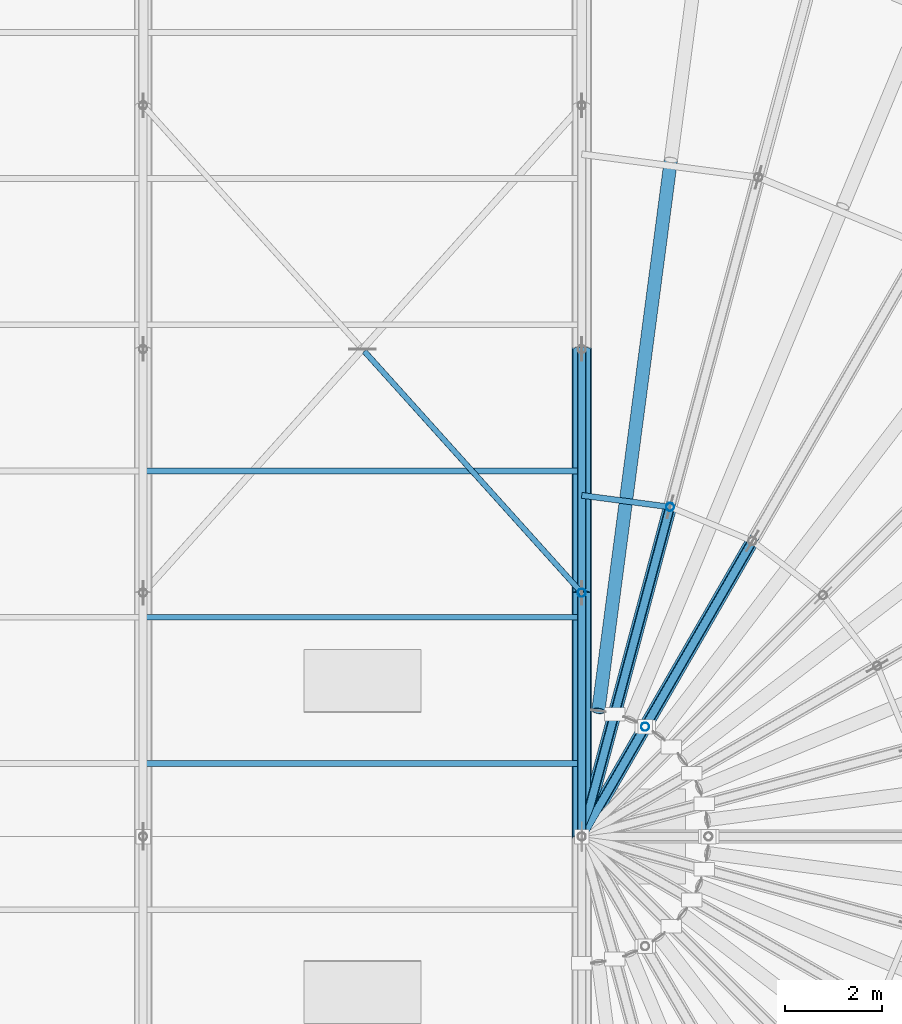
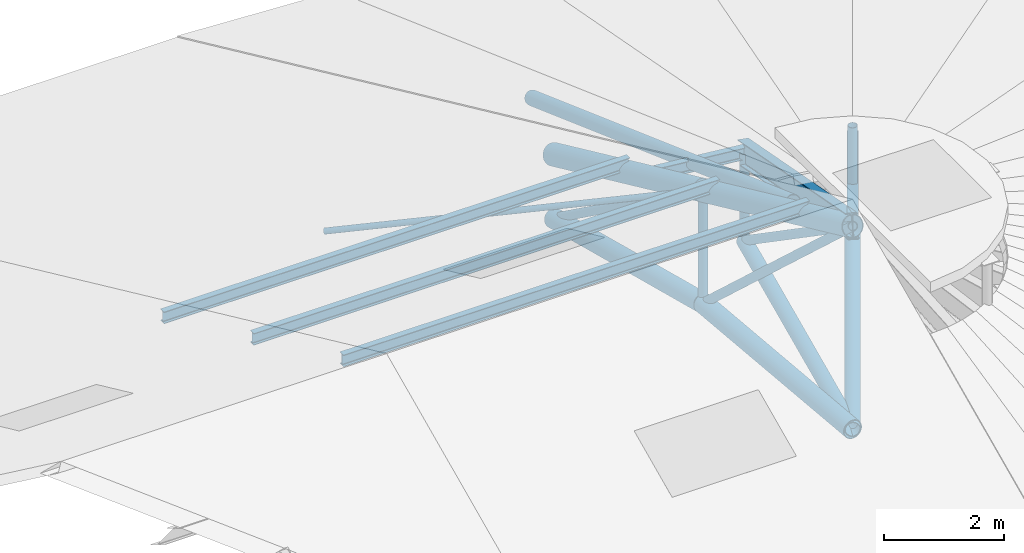
# One storey, part 39 of 107: 21 members.
"""IFC4 building model written with IfcOpenShell, lengths in metres."""

from ifc_helpers import new_model, si_unit, derived_unit, direction, frame, origin, origin_2d, place, context, subcontext, project, spatial, hollow_circle, i_section, extrude, material, material_profile, profile_set, type_object, element, save


model = new_model("IFC4")

# Units and contexts
model_context = context("Model", 3, precision=1e-05, world=origin(), true_north=direction((0.0, 1.0)))
body_context = subcontext(model_context, "Body", "Model", "MODEL_VIEW")
ifc_project = project(units=[si_unit("LENGTHUNIT", "METRE"), si_unit("AREAUNIT", "SQUARE_METRE"), si_unit("VOLUMEUNIT", "CUBIC_METRE"), si_unit("PLANEANGLEUNIT", "RADIAN"), si_unit("MASSUNIT", "GRAM", prefix="KILO"), si_unit("THERMODYNAMICTEMPERATUREUNIT", "KELVIN"), si_unit("TIMEUNIT", "SECOND"), derived_unit("THERMALTRANSMITTANCEUNIT", [(si_unit("MASSUNIT", "GRAM", prefix="KILO"), 1), (si_unit("THERMODYNAMICTEMPERATUREUNIT", "KELVIN"), -1), (si_unit("TIMEUNIT", "SECOND"), -3)])], contexts=[model_context])

# Site, building, storey
site_placement = place(None, origin())
site = spatial("IfcSite", under=ifc_project, at=site_placement, CompositionType="ELEMENT")
building_placement = place(site_placement, origin())
building = spatial("IfcBuilding", under=site, at=building_placement, Name="Cambertide Market Hall", CompositionType="ELEMENT")
storey_placement = place(building_placement, frame((0.0, 0.0, 18.300048828125)))
storey = spatial("IfcBuildingStorey", under=building, at=storey_placement, Name="RF", CompositionType="ELEMENT", Elevation=18.300048828125)

# Members
ifc_material_1 = material(Name="Steel S355", Category="steel")
ifc_material_profile_1 = material_profile(ifc_material_1, hollow_circle(Radius=0.136474609375, WallThickness=0.010009765625, at=origin_2d()), Name="CHS 273x10")
ifc_profile_set_1 = profile_set([ifc_material_profile_1], Name="Steel S355")
member_type_1 = type_object("IfcMemberType", Name="Arched Truss Chord CHS 273x10", PredefinedType="CHORD", material=ifc_profile_set_1)
for number, where, z_axis, x_axis, name in (
    (1, (105.0, 72.0, -4.5), (0.496076515077, 0.859240788635, -0.124953424661), (-0.866028190633, 0.499995173006, 0.0), "Half-Cone Radial Arch Chord E-20-1"),
    (2, (105.0, 72.0, -4.5), (0.256795291619, 0.958354076456, -0.124954561115), (-0.965924543531, 0.258823832372, 0.0), "Half-Cone Radial Arch Chord E-22-1"),
):
    element("IfcMember", number, at=place(storey_placement, frame(where, z_axis=z_axis, x_axis=x_axis)), inside=storey, type_object=member_type_1, Name=name, PredefinedType="CHORD", context=body_context, shape_type="SweptSolid", body=[
        extrude(hollow_circle(Radius=0.136474609375, WallThickness=0.010009765625, at=origin_2d()), origin(), (0.0, 0.0, 1.0), 7.055419921875),
    ])
ifc_material_2 = material(Name="Steel S355", Category="steel")
ifc_material_profile_2 = material_profile(ifc_material_2, hollow_circle(Radius=0.177734375, WallThickness=0.012451171875, at=origin_2d()), Name="CHS 355.6x12.5")
ifc_profile_set_2 = profile_set([ifc_material_profile_2], Name="Steel S355")
member_type_2 = type_object("IfcMemberType", Name="Arched Truss Chord CHS 355.6x12.5", PredefinedType="CHORD", material=ifc_profile_set_2)
member_1_placement = place(storey_placement, frame((105.0, 72.0, -4.5), z_axis=(0.0, 0.9958792443, -0.090689198761), x_axis=(-1.0, 0.0, 0.0)))
element("IfcMember", 3, at=member_1_placement, inside=storey, type_object=member_type_2, Name="Roof Truss 8 Arched Bottom Chord 5", PredefinedType="CHORD", context=body_context, shape_type="SweptSolid", body=[
    extrude(hollow_circle(Radius=0.177734375, WallThickness=0.012451171875, at=origin_2d()), origin(), (0.0, 0.0, 1.0), 5.020751953125),
])
member_2_placement = place(storey_placement, frame((105.0, 77.0, -4.955322265625), z_axis=(0.0, 0.968015607618, -0.250889982678), x_axis=(-1.0, 0.0, 0.0)))
element("IfcMember", 4, at=member_2_placement, inside=storey, type_object=member_type_2, Name="Roof Truss 8 Arched Bottom Chord 6", PredefinedType="CHORD", context=body_context, shape_type="SweptSolid", body=[
    extrude(hollow_circle(Radius=0.177734375, WallThickness=0.012451171875, at=origin_2d()), origin(), (0.0, 0.0, 1.0), 5.165283203125),
])
ifc_material_3 = material(Name="Steel S355", Category="steel")
ifc_material_profile_3 = material_profile(ifc_material_3, hollow_circle(Radius=0.203125, WallThickness=0.01416015625, at=origin_2d()), Name="CHS 406.4x14.2")
ifc_profile_set_3 = profile_set([ifc_material_profile_3], Name="Steel S355")
member_type_3 = type_object("IfcMemberType", Name="Arched Truss Chord CHS 406.4x14.2", PredefinedType="CHORD", material=ifc_profile_set_3)
for number, where, z_axis, x_axis, name in (
    (5, (105.0, 72.0, -0.35009765625), (0.0, 0.908487084298, -0.417912930721), (-1.0, 0.0, 0.0), "Roof Truss 8 Top Chord 5"),
    (6, (105.0, 77.0, -2.650146484375), (0.0, 0.908503925861, -0.417876317461), (-1.0, 0.0, 0.0), "Roof Truss 8 Top Chord 6"),
):
    element("IfcMember", number, at=place(storey_placement, frame(where, z_axis=z_axis, x_axis=x_axis)), inside=storey, type_object=member_type_3, Name=name, PredefinedType="CHORD", context=body_context, shape_type="SweptSolid", body=[
        extrude(hollow_circle(Radius=0.203125, WallThickness=0.01416015625, at=origin_2d()), origin(), (0.0, 0.0, 1.0), 5.503662109375),
    ])
ifc_material_4 = material(Name="Steel S355", Category="steel")
ifc_material_profile_4 = material_profile(ifc_material_4, hollow_circle(Radius=0.136474609375, WallThickness=0.010009765625, at=origin_2d()), Name="CHS 273x10")
ifc_profile_set_4 = profile_set([ifc_material_profile_4], Name="Steel S355")
member_type_4 = type_object("IfcMemberType", Name="Radial Fan Rafter CHS 273x10", PredefinedType="RAFTER", material=ifc_profile_set_4)
member_3_placement = place(storey_placement, frame((105.33935546875, 74.57763671875, -1.546142578125), z_axis=(0.11858507454, 0.900721251164, -0.417898083027), x_axis=(-0.991444452242, 0.130529299847, 0.0)))
element("IfcMember", 7, at=member_3_placement, inside=storey, type_object=member_type_4, Name="RAF-E-23-A", PredefinedType="RAFTER", context=body_context, shape_type="SweptSolid", body=[
    extrude(hollow_circle(Radius=0.136474609375, WallThickness=0.010009765625, at=origin_2d()), origin(), (0.0, 0.0, 1.0), 12.54833984375),
])
ifc_material_5 = material(Name="Steel S355", Category="steel")
ifc_material_profile_5 = material_profile(ifc_material_5, i_section(OverallWidth=0.18994140625, OverallDepth=0.449951171875, WebThickness=0.009521484375, FlangeThickness=0.0146484375, FilletRadius=0.02099609375, at=origin_2d()), Name="IPE 450")
ifc_profile_set_5 = profile_set([ifc_material_profile_5], Name="Steel S355")
member_type_5 = type_object("IfcMemberType", Name="Radial Fan Rafter IPE 450", PredefinedType="RAFTER", material=ifc_profile_set_5)
for number, where, z_axis, x_axis, name in (
    (8, (105.0, 72.0, -0.35009765625), (0.454242328693, 0.786780919627, -0.417899140146), (-0.866028190633, 0.499995173006, 0.0), "Half-Cone Radial Truss Rafter E-20-1"),
    (9, (105.0, 72.0, -0.35009765625), (0.235139371303, 0.877534683767, -0.417902326925), (-0.965924543531, 0.258823832372, 0.0), "Half-Cone Radial Truss Rafter E-22-1"),
):
    element("IfcMember", number, at=place(storey_placement, frame(where, z_axis=z_axis, x_axis=x_axis)), inside=storey, type_object=member_type_5, Name=name, PredefinedType="RAFTER", context=body_context, shape_type="SweptSolid", body=[
        extrude(i_section(OverallWidth=0.18994140625, OverallDepth=0.449951171875, WebThickness=0.009521484375, FlangeThickness=0.0146484375, FilletRadius=0.02099609375, at=origin_2d()), origin(), (0.0, 0.0, 1.0), 7.705078125),
    ])
ifc_material_6 = material(Name="Steel S275", Category="steel")
ifc_material_profile_6 = material_profile(ifc_material_6, i_section(OverallWidth=0.1201171875, OverallDepth=0.239990234375, WebThickness=0.006103515625, FlangeThickness=0.009765625, FilletRadius=0.014892578125, at=origin_2d()), Name="IPE 240")
ifc_profile_set_6 = profile_set([ifc_material_profile_6], Name="Steel S275")
member_type_6 = type_object("IfcMemberType", Name="Roof Purlin IPE 240", PredefinedType="PURLIN", material=ifc_profile_set_6)
for number, where, z_axis, x_axis, name in (
    (10, (96.0, 73.5, -0.830078125), (1.0, 0.0, 0.0), (0.0, 1.0, 0.0), "Barrel Roof Purlin 7-09"),
    (11, (96.0, 76.5, -2.2099609375), (1.0, 0.0, 0.0), (0.0, 1.0, 0.0), "Barrel Roof Purlin 7-10"),
    (12, (96.0, 79.5, -3.590087890625), (1.0, 0.0, 0.0), (0.0, 1.0, 0.0), "Barrel Roof Purlin 7-11"),
):
    element("IfcMember", number, at=place(storey_placement, frame(where, z_axis=z_axis, x_axis=x_axis)), inside=storey, type_object=member_type_6, Name=name, PredefinedType="PURLIN", context=body_context, shape_type="SweptSolid", body=[
        extrude(i_section(OverallWidth=0.1201171875, OverallDepth=0.239990234375, WebThickness=0.006103515625, FlangeThickness=0.009765625, FilletRadius=0.014892578125, at=origin_2d()), origin(), (0.0, 0.0, 1.0), 9.0),
    ])
member_4_placement = place(storey_placement, frame((106.811767578125, 78.761474609375, -3.570068359375), z_axis=(-0.991444743541, 0.130527087244, 0.0), x_axis=(-0.130527087244, -0.991444743541, 0.0)))
element("IfcMember", 13, at=member_4_placement, inside=storey, type_object=member_type_6, Name="CPUR-E-70-12", PredefinedType="PURLIN", context=body_context, shape_type="SweptSolid", body=[
    extrude(i_section(OverallWidth=0.1201171875, OverallDepth=0.239990234375, WebThickness=0.006103515625, FlangeThickness=0.009765625, FilletRadius=0.014892578125, at=origin_2d()), origin(), (0.0, 0.0, 1.0), 1.827392578125),
])
ifc_material_7 = material(Name="Steel S275", Category="steel")
ifc_material_profile_7 = material_profile(ifc_material_7, hollow_circle(Radius=0.05712890625, WallThickness=0.0048828125, at=origin_2d()), Name="CHS 114.3x5")
ifc_profile_set_7 = profile_set([ifc_material_profile_7], Name="Steel S275")
member_type_7 = type_object("IfcMemberType", Name="Structural Brace CHS 114.3x5", PredefinedType="BRACE", material=ifc_profile_set_7)
member_5_placement = place(storey_placement, frame((105.0, 77.0, -2.650146484375), z_axis=(-0.632999690254, 0.703313698634, -0.323513884481), x_axis=(-0.743285022771, -0.66897486868, 0.0)))
element("IfcMember", 14, at=member_5_placement, inside=storey, type_object=member_type_7, Name="Roof Wind X-Brace Split Segment 7-N2A", PredefinedType="BRACE", context=body_context, shape_type="SweptSolid", body=[
    extrude(hollow_circle(Radius=0.05712890625, WallThickness=0.0048828125, at=origin_2d()), origin(), (0.0, 0.0, 1.0), 7.031005859375),
])
ifc_material_8 = material(Name="Steel S355", Category="steel")
ifc_material_profile_8 = material_profile(ifc_material_8, hollow_circle(Radius=0.084228515625, WallThickness=0.00634765625, at=origin_2d()), Name="CHS 168.3x6.3")
ifc_profile_set_8 = profile_set([ifc_material_profile_8], Name="Steel S355")
member_type_8 = type_object("IfcMemberType", Name="Structural Brace CHS 168.3x6.3", PredefinedType="BRACE", material=ifc_profile_set_8)
member_6_placement = place(storey_placement, frame((105.0, 72.0, -0.35009765625), z_axis=(0.0, 0.73554793102, -0.677472686662), x_axis=(-1.0, 0.0, 0.0)))
element("IfcMember", 15, at=member_6_placement, inside=storey, type_object=member_type_8, Name="Roof Truss 8 Web Diagonal 5", PredefinedType="BRACE", context=body_context, shape_type="SweptSolid", body=[
    extrude(hollow_circle(Radius=0.084228515625, WallThickness=0.00634765625, at=origin_2d()), origin(), (0.0, 0.0, 1.0), 6.797607421875),
])
member_7_placement = place(storey_placement, frame((105.0, 77.0, -2.650146484375), z_axis=(0.0, 0.811451666424, -0.584419535144), x_axis=(-1.0, 0.0, 0.0)))
element("IfcMember", 16, at=member_7_placement, inside=storey, type_object=member_type_8, Name="Roof Truss 8 Web Diagonal 6", PredefinedType="BRACE", context=body_context, shape_type="SweptSolid", body=[
    extrude(hollow_circle(Radius=0.084228515625, WallThickness=0.00634765625, at=origin_2d()), origin(), (0.0, 0.0, 1.0), 6.161865234375),
])
member_8_placement = place(storey_placement, frame((105.0, 77.0, -4.955322265625), z_axis=(0.0, 0.0, 1.0), x_axis=(1.0, 0.0, 0.0)))
element("IfcMember", 17, at=member_8_placement, inside=storey, type_object=member_type_8, Name="Roof Truss 8 Web Post 6", PredefinedType="BRACE", context=body_context, shape_type="SweptSolid", body=[
    extrude(hollow_circle(Radius=0.084228515625, WallThickness=0.00634765625, at=origin_2d()), origin(), (0.0, 0.0, 1.0), 2.30517578125),
])
for number, where, z_axis, x_axis, name in (
    (18, (108.5, 78.062255859375, -5.381591796875), (-0.405998390403, -0.703218891749, 0.583651006405), (0.866028190633, -0.499995173006, 0.0), "RWB-E-20-D1"),
    (19, (106.811767578125, 78.761474609375, -5.381591796875), (-0.210165486158, -0.784332723238, 0.58365456195), (0.965924543531, -0.258823832372, 0.0), "RWB-E-22-D1"),
):
    element("IfcMember", number, at=place(storey_placement, frame(where, z_axis=z_axis, x_axis=x_axis)), inside=storey, type_object=member_type_8, Name=name, PredefinedType="BRACE", context=body_context, shape_type="SweptSolid", body=[
        extrude(hollow_circle(Radius=0.084228515625, WallThickness=0.00634765625, at=origin_2d()), origin(), (0.0, 0.0, 1.0), 8.62060546875),
    ])
member_9_placement = place(storey_placement, frame((106.811767578125, 78.761474609375, -5.381591796875), z_axis=(0.0, 0.0, 1.0), x_axis=(1.0, 0.0, 0.0)))
element("IfcMember", 20, at=member_9_placement, inside=storey, type_object=member_type_8, Name="RWV-E-22-V1", PredefinedType="BRACE", context=body_context, shape_type="SweptSolid", body=[
    extrude(hollow_circle(Radius=0.084228515625, WallThickness=0.00634765625, at=origin_2d()), origin(), (0.0, 0.0, 1.0), 1.8115234375),
])
member_10_placement = place(storey_placement, frame((106.300048828125, 74.251708984375, -1.345947265625), z_axis=(0.0, 0.0, 1.0), x_axis=(1.0, 0.0, 0.0)))
element("IfcMember", 21, at=member_10_placement, inside=storey, type_object=member_type_8, Name="Oculus Lantern Curb Post E-3", PredefinedType="BRACE", context=body_context, shape_type="SweptSolid", body=[
    extrude(hollow_circle(Radius=0.084228515625, WallThickness=0.00634765625, at=origin_2d()), origin(), (0.0, 0.0, 1.0), 1.23583984375),
])

save(model, "model.ifc")
